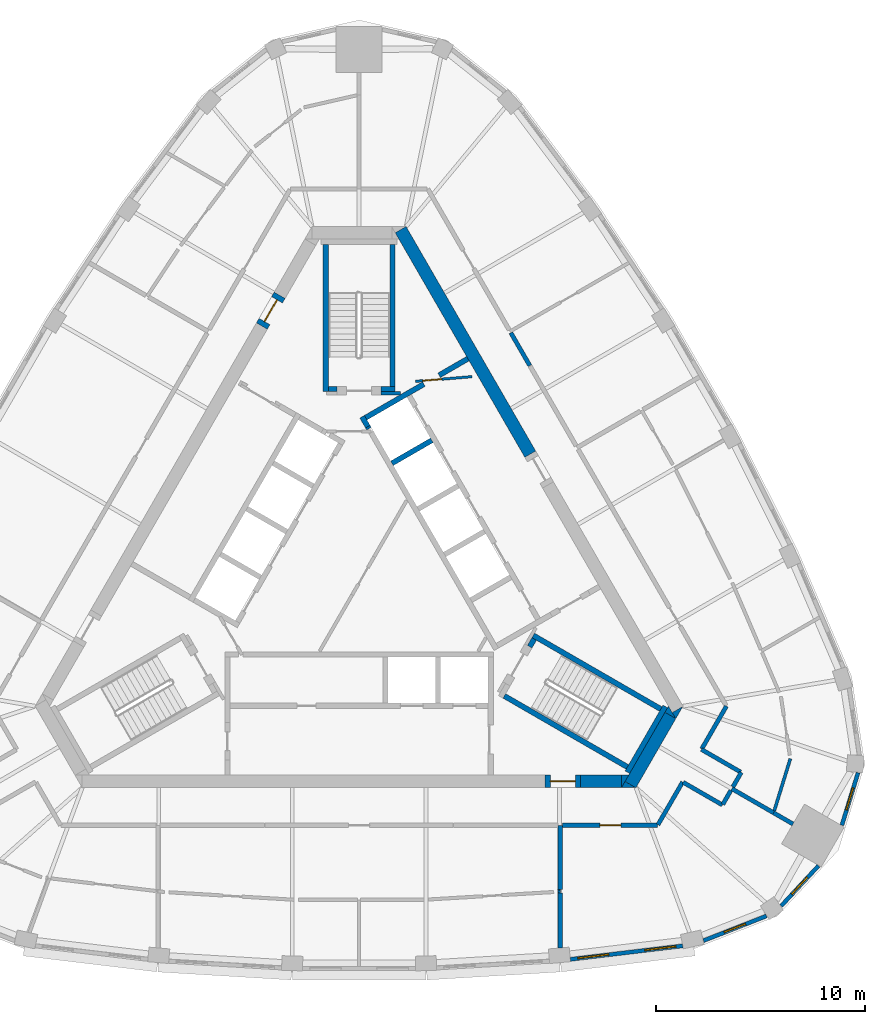
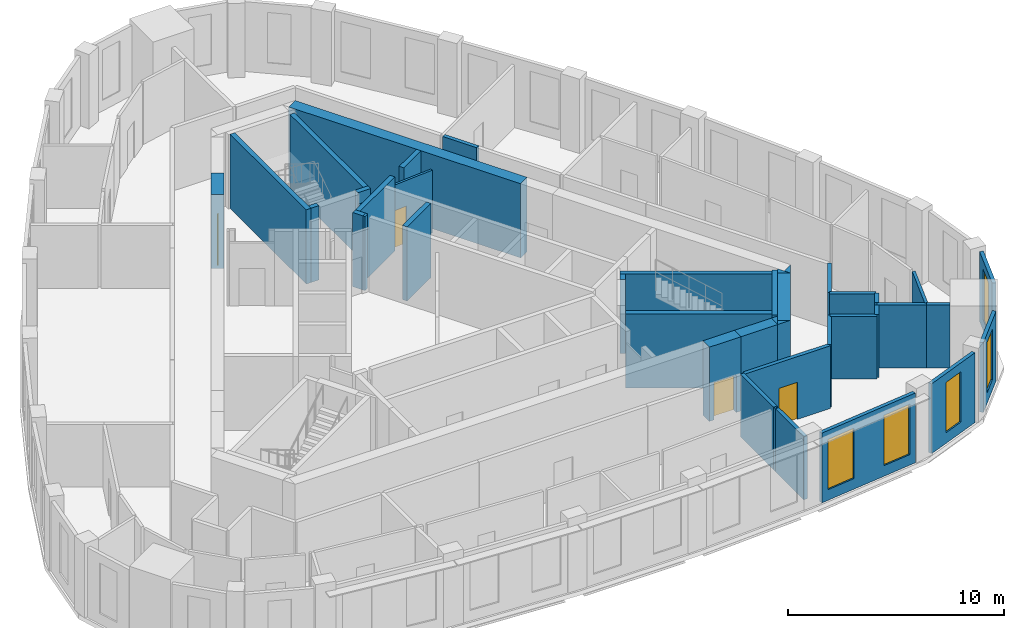
# One storey, part 6 of 10: 42 walls, 5 windows, 4 doors, 9 openings.
"""IFC4 building model written with IfcOpenShell, lengths in metres."""

from ifc_helpers import new_model, si_unit, direction, frame, frame_2d, origin, place, context, subcontext, project, spatial, polyline, rectangle, outline, extrude, material, layer, layer_set, type_object, element, fill, save


model = new_model("IFC4")

# Units and contexts
model_context = context("Model", 3, precision=1e-05, world=origin(), true_north=direction((0.0, 1.0)))
body_context = subcontext(model_context, "Body", "Model", "MODEL_VIEW")
ifc_project = project(units=[si_unit("LENGTHUNIT", "METRE"), si_unit("AREAUNIT", "SQUARE_METRE"), si_unit("VOLUMEUNIT", "CUBIC_METRE"), si_unit("PLANEANGLEUNIT", "RADIAN"), si_unit("MASSUNIT", "GRAM", prefix="KILO")], contexts=[model_context])

# Site, building, storey
site_placement = place(None, origin())
site = spatial("IfcSite", under=ifc_project, at=site_placement, CompositionType="ELEMENT")
building_placement = place(site_placement, origin())
building = spatial("IfcBuilding", under=site, at=building_placement, Name="Mestral Congress Tower", CompositionType="ELEMENT")
storey_placement = place(building_placement, frame((0.0, 0.0, 309.0)))
storey = spatial("IfcBuildingStorey", under=building, at=storey_placement, Name="L72", CompositionType="ELEMENT", Elevation=309.0)

# Wall
ifc_material_1 = material(Name="Fire-rated board partition")
ifc_layer_1 = layer(ifc_material_1, 0.14990234375)
ifc_layer_set_1 = layer_set([ifc_layer_1], Name="Fire-rated board partition")
wall_type_1 = type_object("IfcWallType", Name="Core partition 150", PredefinedType="PARTITIONING", material=ifc_layer_set_1)
wall_1_placement = place(storey_placement, frame((1.050048828125, 8.62548828125, 0.0), z_axis=(0.0, 0.0, 1.0), x_axis=(1.0, 0.0, 0.0)))
element("IfcWall", 1, at=wall_1_placement, inside=storey, type_object=wall_type_1, Name="L72 core wall", PredefinedType="PARTITIONING", context=body_context, shape_type="SweptSolid", body=[
    extrude(rectangle(XDim=0.9287109375, YDim=0.14990234375, at=frame_2d((0.46435546875, 0.0))), origin(), (0.0, 0.0, 1.0), 3.550048828125),
])

# Wall, opening, door
ifc_layer_2 = layer(ifc_material_1, 0.1201171875)
ifc_layer_set_2 = layer_set([ifc_layer_2], Name="Fire-rated board partition")
wall_type_2 = type_object("IfcWallType", Name="Core partition 150 door-wall 120", PredefinedType="PARTITIONING", material=ifc_layer_set_2)
wall_2_placement = place(storey_placement, frame((5.3984375, 9.418701171875, 0.0), z_axis=(0.0, 0.0, 1.0), x_axis=(-0.996653416376, -0.081743303248, 0.0)))
wall_2 = element("IfcWall", 2, at=wall_2_placement, inside=storey, type_object=wall_type_2, Name="L72 door wall", PredefinedType="PARTITIONING", context=body_context, shape_type="SweptSolid", body=[
    extrude(rectangle(XDim=2.699951171875, YDim=0.119873046875, at=frame_2d((1.35009765625, 0.0))), origin(), (0.0, 0.0, 1.0), 3.550048828125),
])
opening_1_placement = place(wall_2_placement, frame((1.449951171875, 0.0, 0.0)))
opening_1 = element("IfcOpeningElement", 3, at=opening_1_placement, cuts=wall_2, Name="Opening TD2", PredefinedType="OPENING", context=body_context, shape_type="SweptSolid", body=[
    extrude(rectangle(XDim=0.89990234375, YDim=2.10009765625, at=frame_2d((0.449951171875, 1.050048828125))), frame((0.0, 0.06982421875, 0.0), z_axis=(0.0, -1.0, 0.0), x_axis=(1.0, 0.0, 0.0)), (0.0, 0.0, 1.0), 0.139892578125),
])
ifc_material_2 = material(Name="Fire-rated steel door set", Category="steel")
door_type_1 = type_object("IfcDoorType", Name="Core door SR 900x2100", OperationType="SINGLE_SWING_LEFT", PredefinedType="DOOR", material=ifc_material_2)
door_1_placement = place(opening_1_placement, origin())
door_1 = element("IfcDoor", 4, at=door_1_placement, inside=storey, type_object=door_type_1, Name="Door TD2", OperationType="SINGLE_SWING_LEFT", OverallHeight=2.10009765625, OverallWidth=0.89990234375, PredefinedType="DOOR", context=body_context, shape_type="SweptSolid", body=[
    extrude(rectangle(XDim=0.89990234375, YDim=2.10009765625, at=frame_2d((0.449951171875, 1.050048828125))), frame((0.0, 0.02490234375, 0.0), z_axis=(0.0, -1.0, 0.0), x_axis=(1.0, 0.0, 0.0)), (0.0, 0.0, 1.0), 0.050048828125),
])
fill(opening_1, door_1)

# Walls
ifc_material_3 = material(Name="Concrete C60/75", Category="concrete")
ifc_layer_3 = layer(ifc_material_3, 0.60009765625)
ifc_layer_set_3 = layer_set([ifc_layer_3], Name="Concrete C60/75")
wall_type_3 = type_object("IfcWallType", Name="Core wall RC 600", PredefinedType="SOLIDWALL", material=ifc_layer_set_3)
placement = place(storey_placement, origin())
element("IfcWall", 5, at=placement, inside=storey, type_object=wall_type_3, Name="L72 core wall", PredefinedType="SOLIDWALL", context=body_context, shape_type="SweptSolid", body=[
    extrude(outline(polyline([(15.155517578125, -6.949951171875), (14.986572265625, -6.6572265625), (15.493408203125, -6.364501953125), (15.155517578125, -6.949951171875)])), origin(), (0.0, 0.0, 1.0), 4.199951171875),
])
wall_4_placement = place(storey_placement, frame((12.9873046875, -10.105712890625, 0.0), z_axis=(0.0, 0.0, 1.0), x_axis=(0.499950938802, 0.866053727428, 0.0)))
element("IfcWall", 6, at=wall_4_placement, inside=storey, type_object=wall_type_3, Name="L72 core wall", PredefinedType="SOLIDWALL", context=body_context, shape_type="SweptSolid", body=[
    extrude(rectangle(XDim=3.8232421875, YDim=0.60009765625, at=frame_2d((1.91162109375, 0.0))), origin(), (0.0, 0.0, 1.0), 4.199951171875),
])
element("IfcWall", 7, at=placement, inside=storey, type_object=wall_type_3, Name="L72 core wall", PredefinedType="SOLIDWALL", context=body_context, shape_type="SweptSolid", body=[
    extrude(outline(polyline([(12.726318359375, -9.957275390625), (13.2333984375, -10.25), (12.557373046875, -10.25), (12.726318359375, -9.957275390625)])), origin(), (0.0, 0.0, 1.0), 4.199951171875),
])
element("IfcWall", 8, at=placement, inside=storey, type_object=wall_type_3, Name="L72 core wall", PredefinedType="SOLIDWALL", context=body_context, shape_type="SweptSolid", body=[
    extrude(outline(polyline([(14.80908203125, -6.35009765625), (15.147216796875, -6.935791015625), (14.639892578125, -6.642822265625), (14.80908203125, -6.35009765625)])), origin(), (0.0, 0.0, 1.0), 4.199951171875),
])
wall_7_placement = place(storey_placement, frame((10.6044921875, -9.949951171875, 0.0), z_axis=(0.0, 0.0, 1.0), x_axis=(1.0, 0.0, 0.0)))
element("IfcWall", 9, at=wall_7_placement, inside=storey, type_object=wall_type_3, Name="L72 core wall", PredefinedType="SOLIDWALL", context=body_context, shape_type="SweptSolid", body=[
    extrude(rectangle(XDim=1.959228515625, YDim=0.60009765625, at=frame_2d((0.9794921875, 0.0))), origin(), (0.0, 0.0, 1.0), 4.199951171875),
])
element("IfcWall", 10, at=placement, inside=storey, type_object=wall_type_3, Name="L72 core wall", PredefinedType="SOLIDWALL", context=body_context, shape_type="SweptSolid", body=[
    extrude(outline(polyline([(12.90380859375, -9.64990234375), (12.56591796875, -10.235595703125), (12.56591796875, -9.64990234375), (12.90380859375, -9.64990234375)])), origin(), (0.0, 0.0, 1.0), 4.199951171875),
])
wall_9_placement = place(storey_placement, frame((1.98876953125, 16.45556640625, 0.0), z_axis=(0.0, 0.0, 1.0), x_axis=(0.49999102663, -0.8660305845, 0.0)))
element("IfcWall", 11, at=wall_9_placement, inside=storey, type_object=wall_type_3, Name="L72 core wall", PredefinedType="SOLIDWALL", context=body_context, shape_type="SweptSolid", body=[
    extrude(rectangle(XDim=12.406494140625, YDim=0.60009765625, at=frame_2d((6.203125, 0.0))), origin(), (0.0, 0.0, 1.0), 4.199951171875),
])

# Wall, opening, door
wall_10_placement = place(storey_placement, frame((10.6044921875, -9.949951171875, 0.0), z_axis=(0.0, 0.0, 1.0), x_axis=(-1.0, 0.0, 0.0)))
wall_10 = element("IfcWall", 12, at=wall_10_placement, inside=storey, type_object=wall_type_3, Name="L72 door wall", PredefinedType="SOLIDWALL", context=body_context, shape_type="SweptSolid", body=[
    extrude(rectangle(XDim=1.699951171875, YDim=0.60009765625, at=frame_2d((0.85009765625, 0.0))), origin(), (0.0, 0.0, 1.0), 4.199951171875),
])
opening_2_placement = place(wall_10_placement, frame((0.25, 0.0, 0.0)))
opening_2 = element("IfcOpeningElement", 13, at=opening_2_placement, cuts=wall_10, Name="Opening XD1", PredefinedType="OPENING", context=body_context, shape_type="SweptSolid", body=[
    extrude(rectangle(XDim=1.199951171875, YDim=2.10009765625, at=frame_2d((0.60009765625, 1.050048828125))), frame((0.0, 0.31005859375, 0.0), z_axis=(0.0, -1.0, 0.0), x_axis=(1.0, 0.0, 0.0)), (0.0, 0.0, 1.0), 0.6201171875),
])
door_type_2 = type_object("IfcDoorType", Name="Core door XD 1200x2100", OperationType="SINGLE_SWING_LEFT", PredefinedType="DOOR", material=ifc_material_2)
door_2_placement = place(opening_2_placement, origin())
door_2 = element("IfcDoor", 14, at=door_2_placement, inside=storey, type_object=door_type_2, Name="Door XD1", OperationType="SINGLE_SWING_LEFT", OverallHeight=2.10009765625, OverallWidth=1.199951171875, PredefinedType="DOOR", context=body_context, shape_type="SweptSolid", body=[
    extrude(rectangle(XDim=1.199951171875, YDim=2.10009765625, at=frame_2d((0.60009765625, 1.050048828125))), frame((0.0, 0.02490234375, 0.0), z_axis=(0.0, -1.0, 0.0), x_axis=(1.0, 0.0, 0.0)), (0.0, 0.0, 1.0), 0.050048828125),
])
fill(opening_2, door_2)

wall_11_placement = place(storey_placement, frame((-4.65234375, 11.842041015625, 0.0), z_axis=(0.0, 0.0, 1.0), x_axis=(0.500062241894, 0.865989465428, 0.0)))
wall_11 = element("IfcWall", 15, at=wall_11_placement, inside=storey, type_object=wall_type_3, Name="L72 door wall", PredefinedType="SOLIDWALL", context=body_context, shape_type="SweptSolid", body=[
    extrude(rectangle(XDim=1.699951171875, YDim=0.60009765625, at=frame_2d((0.85009765625, 0.0))), origin(), (0.0, 0.0, 1.0), 4.199951171875),
])
opening_3_placement = place(wall_11_placement, frame((0.25, 0.0, 0.0)))
opening_3 = element("IfcOpeningElement", 16, at=opening_3_placement, cuts=wall_11, Name="Opening XD2", PredefinedType="OPENING", context=body_context, shape_type="SweptSolid", body=[
    extrude(rectangle(XDim=1.199951171875, YDim=2.10009765625, at=frame_2d((0.60009765625, 1.050048828125))), frame((0.0, 0.31005859375, 0.0), z_axis=(0.0, -1.0, 0.0), x_axis=(1.0, 0.0, 0.0)), (0.0, 0.0, 1.0), 0.6201171875),
])
door_3_placement = place(opening_3_placement, origin())
door_3 = element("IfcDoor", 17, at=door_3_placement, inside=storey, type_object=door_type_2, Name="Door XD2", OperationType="SINGLE_SWING_LEFT", OverallHeight=2.10009765625, OverallWidth=1.199951171875, PredefinedType="DOOR", context=body_context, shape_type="SweptSolid", body=[
    extrude(rectangle(XDim=1.199951171875, YDim=2.10009765625, at=frame_2d((0.60009765625, 1.050048828125))), frame((0.0, 0.02490234375, 0.0), z_axis=(0.0, -1.0, 0.0), x_axis=(1.0, 0.0, 0.0)), (0.0, 0.0, 1.0), 0.050048828125),
])
fill(opening_3, door_3)

# Wall, openings, windows
ifc_material_4 = material(Name="Precast concrete C40/50 with limestone facing", Category="masonry")
ifc_layer_4 = layer(ifc_material_4, 0.18994140625)
ifc_layer_set_4 = layer_set([ifc_layer_4], Name="Precast concrete C40/50 with limestone facing")
wall_type_4 = type_object("IfcWallType", Name="Facade stone wall 190", PredefinedType="SOLIDWALL", material=ifc_layer_set_4)
wall_12_placement = place(storey_placement, frame((10.110595703125, -18.4677734375, 0.0), z_axis=(0.0, 0.0, 1.0), x_axis=(0.992885582795, 0.119072328769, 0.0)))
wall_12 = element("IfcWall", 18, at=wall_12_placement, inside=storey, type_object=wall_type_4, Name="Facade wall F0-04", PredefinedType="SOLIDWALL", context=body_context, shape_type="SweptSolid", body=[
    extrude(rectangle(XDim=5.4150390625, YDim=0.18994140625, at=frame_2d((2.70751953125, 0.0))), origin(), (0.0, 0.0, 1.0), 3.949951171875),
])
opening_4_placement = place(wall_12_placement, frame((0.357421875, 0.0, 0.60009765625)))
opening_4 = element("IfcOpeningElement", 19, at=opening_4_placement, cuts=wall_12, Name="Opening W6", PredefinedType="OPENING", context=body_context, shape_type="SweptSolid", body=[
    extrude(rectangle(XDim=1.5, YDim=2.85009765625, at=frame_2d((0.75, 1.425048828125))), frame((0.0, 0.10498046875, 0.0), z_axis=(0.0, -1.0, 0.0), x_axis=(1.0, 0.0, 0.0)), (0.0, 0.0, 1.0), 0.2099609375),
])
opening_5_placement = place(wall_12_placement, frame((3.592529296875, 0.0, 0.60009765625)))
opening_5 = element("IfcOpeningElement", 20, at=opening_5_placement, cuts=wall_12, Name="Opening W6", PredefinedType="OPENING", context=body_context, shape_type="SweptSolid", body=[
    extrude(rectangle(XDim=1.5, YDim=2.85009765625, at=frame_2d((0.75, 1.425048828125))), frame((0.0, 0.10498046875, 0.0), z_axis=(0.0, -1.0, 0.0), x_axis=(1.0, 0.0, 0.0)), (0.0, 0.0, 1.0), 0.2099609375),
])
ifc_material_5 = material(Name="Clear low-emissivity double glazing", Category="glass")
window_type_1 = type_object("IfcWindowType", Name="Facade punched window 1500 x 2850 sill 600", PartitioningType="SINGLE_PANEL", PredefinedType="WINDOW", material=ifc_material_5)
window_1_placement = place(opening_4_placement, origin())
window_1 = element("IfcWindow", 21, at=window_1_placement, inside=storey, type_object=window_type_1, Name="Window F0-04a", OverallHeight=2.85009765625, OverallWidth=1.5, PartitioningType="SINGLE_PANEL", PredefinedType="WINDOW", context=body_context, shape_type="SweptSolid", body=[
    extrude(rectangle(XDim=1.5, YDim=2.85009765625, at=frame_2d((0.75, 1.425048828125))), frame((0.0, 0.044921875, 0.0), z_axis=(0.0, -1.0, 0.0), x_axis=(1.0, 0.0, 0.0)), (0.0, 0.0, 1.0), 0.06005859375),
])
fill(opening_4, window_1)
window_2_placement = place(opening_5_placement, origin())
window_2 = element("IfcWindow", 22, at=window_2_placement, inside=storey, type_object=window_type_1, Name="Window F0-04b", OverallHeight=2.85009765625, OverallWidth=1.5, PartitioningType="SINGLE_PANEL", PredefinedType="WINDOW", context=body_context, shape_type="SweptSolid", body=[
    extrude(rectangle(XDim=1.5, YDim=2.85009765625, at=frame_2d((0.75, 1.425048828125))), frame((0.0, 0.044921875, 0.0), z_axis=(0.0, -1.0, 0.0), x_axis=(1.0, 0.0, 0.0)), (0.0, 0.0, 1.0), 0.06005859375),
])
fill(opening_5, window_2)

# Wall, opening, window
wall_13_placement = place(storey_placement, frame((16.48291015625, -17.572998046875, 0.0), z_axis=(0.0, 0.0, 1.0), x_axis=(0.93100888477, 0.364996515709, 0.0)))
wall_13 = element("IfcWall", 23, at=wall_13_placement, inside=storey, type_object=wall_type_4, Name="Facade wall K0-0", PredefinedType="SOLIDWALL", context=body_context, shape_type="SweptSolid", body=[
    extrude(rectangle(XDim=3.23681640625, YDim=0.18994140625, at=frame_2d((1.618408203125, 0.0))), origin(), (0.0, 0.0, 1.0), 3.949951171875),
])
opening_6_placement = place(wall_13_placement, frame((1.068359375, 0.0, 0.60009765625)))
opening_6 = element("IfcOpeningElement", 24, at=opening_6_placement, cuts=wall_13, Name="Opening W7", PredefinedType="OPENING", context=body_context, shape_type="SweptSolid", body=[
    extrude(rectangle(XDim=1.10009765625, YDim=2.85009765625, at=frame_2d((0.550048828125, 1.425048828125))), frame((0.0, 0.10498046875, 0.0), z_axis=(0.0, -1.0, 0.0), x_axis=(1.0, 0.0, 0.0)), (0.0, 0.0, 1.0), 0.2099609375),
])
window_type_2 = type_object("IfcWindowType", Name="Facade punched window 1100 x 2850 sill 600", PartitioningType="SINGLE_PANEL", PredefinedType="WINDOW", material=ifc_material_5)
window_3_placement = place(opening_6_placement, origin())
window_3 = element("IfcWindow", 25, at=window_3_placement, inside=storey, type_object=window_type_2, Name="Window K0-0", OverallHeight=2.85009765625, OverallWidth=1.10009765625, PartitioningType="SINGLE_PANEL", PredefinedType="WINDOW", context=body_context, shape_type="SweptSolid", body=[
    extrude(rectangle(XDim=1.10009765625, YDim=2.85009765625, at=frame_2d((0.550048828125, 1.425048828125))), frame((0.0, 0.044921875, 0.0), z_axis=(0.0, -1.0, 0.0), x_axis=(1.0, 0.0, 0.0)), (0.0, 0.0, 1.0), 0.06005859375),
])
fill(opening_6, window_3)

wall_14_placement = place(storey_placement, frame((20.197998046875, -15.91357421875, 0.0), z_axis=(0.0, 0.0, 1.0), x_axis=(0.680219354823, 0.733008614768, 0.0)))
wall_14 = element("IfcWall", 26, at=wall_14_placement, inside=storey, type_object=wall_type_4, Name="Facade wall K0-1", PredefinedType="SOLIDWALL", context=body_context, shape_type="SweptSolid", body=[
    extrude(rectangle(XDim=2.626953125, YDim=0.18994140625, at=frame_2d((1.3134765625, 0.0))), origin(), (0.0, 0.0, 1.0), 3.949951171875),
])
opening_7_placement = place(wall_14_placement, frame((0.763427734375, 0.0, 0.60009765625)))
opening_7 = element("IfcOpeningElement", 27, at=opening_7_placement, cuts=wall_14, Name="Opening W7", PredefinedType="OPENING", context=body_context, shape_type="SweptSolid", body=[
    extrude(rectangle(XDim=1.10009765625, YDim=2.85009765625, at=frame_2d((0.550048828125, 1.425048828125))), frame((0.0, 0.10498046875, 0.0), z_axis=(0.0, -1.0, 0.0), x_axis=(1.0, 0.0, 0.0)), (0.0, 0.0, 1.0), 0.2099609375),
])
window_4_placement = place(opening_7_placement, origin())
window_4 = element("IfcWindow", 28, at=window_4_placement, inside=storey, type_object=window_type_2, Name="Window K0-1", OverallHeight=2.85009765625, OverallWidth=1.10009765625, PartitioningType="SINGLE_PANEL", PredefinedType="WINDOW", context=body_context, shape_type="SweptSolid", body=[
    extrude(rectangle(XDim=1.10009765625, YDim=2.85009765625, at=frame_2d((0.550048828125, 1.425048828125))), frame((0.0, 0.044921875, 0.0), z_axis=(0.0, -1.0, 0.0), x_axis=(1.0, 0.0, 0.0)), (0.0, 0.0, 1.0), 0.06005859375),
])
fill(opening_7, window_4)

wall_15_placement = place(storey_placement, frame((23.1064453125, -12.04541015625, 0.0), z_axis=(0.0, 0.0, 1.0), x_axis=(0.294706210429, 0.9555879078, 0.0)))
wall_15 = element("IfcWall", 29, at=wall_15_placement, inside=storey, type_object=wall_type_4, Name="Facade wall K0-2", PredefinedType="SOLIDWALL", context=body_context, shape_type="SweptSolid", body=[
    extrude(rectangle(XDim=2.626953125, YDim=0.18994140625, at=frame_2d((1.3134765625, 0.0))), origin(), (0.0, 0.0, 1.0), 3.949951171875),
])
opening_8_placement = place(wall_15_placement, frame((0.763427734375, 0.0, 0.60009765625)))
opening_8 = element("IfcOpeningElement", 30, at=opening_8_placement, cuts=wall_15, Name="Opening W7", PredefinedType="OPENING", context=body_context, shape_type="SweptSolid", body=[
    extrude(rectangle(XDim=1.10009765625, YDim=2.85009765625, at=frame_2d((0.550048828125, 1.425048828125))), frame((0.0, 0.10498046875, 0.0), z_axis=(0.0, -1.0, 0.0), x_axis=(1.0, 0.0, 0.0)), (0.0, 0.0, 1.0), 0.2099609375),
])
window_5_placement = place(opening_8_placement, origin())
window_5 = element("IfcWindow", 31, at=window_5_placement, inside=storey, type_object=window_type_2, Name="Window K0-2", OverallHeight=2.85009765625, OverallWidth=1.10009765625, PartitioningType="SINGLE_PANEL", PredefinedType="WINDOW", context=body_context, shape_type="SweptSolid", body=[
    extrude(rectangle(XDim=1.10009765625, YDim=2.85009765625, at=frame_2d((0.550048828125, 1.425048828125))), frame((0.0, 0.044921875, 0.0), z_axis=(0.0, -1.0, 0.0), x_axis=(1.0, 0.0, 0.0)), (0.0, 0.0, 1.0), 0.06005859375),
])
fill(opening_8, window_5)

# Walls
ifc_material_6 = material(Name="Plasterboard partition on steel studs", Category="steel")
ifc_layer_5 = layer(ifc_material_6, 0.14990234375)
ifc_layer_set_5 = layer_set([ifc_layer_5], Name="Plasterboard partition on steel studs")
wall_type_5 = type_object("IfcWallType", Name="Office partition 150", PredefinedType="PARTITIONING", material=ifc_layer_set_5)
wall_16_placement = place(storey_placement, frame((9.528076171875, -15.218994140625, 0.0), z_axis=(0.0, 0.0, 1.0), x_axis=(0.992830592569, 0.119529973061, 0.0)))
element("IfcWall", 32, at=wall_16_placement, inside=storey, type_object=wall_type_5, Name="Partition", PredefinedType="PARTITIONING", context=body_context, shape_type="SweptSolid", body=[
    extrude(rectangle(XDim=0.10009765625, YDim=0.14990234375, at=frame_2d((0.050048828125, 0.0))), origin(), (0.0, 0.0, 1.0), 3.550048828125),
])
wall_17_placement = place(storey_placement, frame((19.87060546875, -11.35693359375, 0.0), z_axis=(0.0, 0.0, 1.0), x_axis=(0.294698154857, 0.955590392126, 0.0)))
element("IfcWall", 33, at=wall_17_placement, inside=storey, type_object=wall_type_5, Name="Partition", PredefinedType="PARTITIONING", context=body_context, shape_type="SweptSolid", body=[
    extrude(rectangle(XDim=2.60546875, YDim=0.14990234375, at=frame_2d((1.302734375, 0.0))), origin(), (0.0, 0.0, 1.0), 3.550048828125),
])
ifc_material_7 = material(Name="Dense masonry wall, plastered", Category="masonry")
ifc_layer_6 = layer(ifc_material_7, 0.199951171875)
ifc_layer_set_6 = layer_set([ifc_layer_6], Name="Dense masonry wall, plastered")
wall_type_6 = type_object("IfcWallType", Name="Office tenancy wall 200", PredefinedType="PARTITIONING", material=ifc_layer_set_6)
wall_18_placement = place(storey_placement, frame((9.62744140625, -15.28271484375, 0.0), z_axis=(0.0, 0.0, 1.0), x_axis=(0.0, -1.0, 0.0)))
element("IfcWall", 34, at=wall_18_placement, inside=storey, type_object=wall_type_6, Name="Tenancy wall", PredefinedType="PARTITIONING", context=body_context, shape_type="SweptSolid", body=[
    extrude(rectangle(XDim=2.635986328125, YDim=0.199951171875, at=frame_2d((1.31787109375, 0.0))), origin(), (0.0, 0.0, 1.0), 3.550048828125),
])
wall_19_placement = place(storey_placement, frame((9.62744140625, -12.050048828125, 0.0), z_axis=(0.0, 0.0, 1.0), x_axis=(0.0, -1.0, 0.0)))
element("IfcWall", 35, at=wall_19_placement, inside=storey, type_object=wall_type_6, Name="Tenancy wall", PredefinedType="PARTITIONING", context=body_context, shape_type="SweptSolid", body=[
    extrude(rectangle(XDim=3.08154296875, YDim=0.199951171875, at=frame_2d((1.540771484375, 0.0))), origin(), (0.0, 0.0, 1.0), 3.550048828125),
])
wall_20_placement = place(storey_placement, frame((19.8369140625, -11.452880859375, 0.0), z_axis=(0.0, 0.0, 1.0), x_axis=(0.866049104564, -0.499958946799, 0.0)))
element("IfcWall", 36, at=wall_20_placement, inside=storey, type_object=wall_type_6, Name="Tenancy wall", PredefinedType="PARTITIONING", context=body_context, shape_type="SweptSolid", body=[
    extrude(rectangle(XDim=1.072265625, YDim=0.199951171875, at=frame_2d((0.5361328125, 0.0))), origin(), (0.0, 0.0, 1.0), 3.550048828125),
])
wall_21_placement = place(storey_placement, frame((17.840087890625, -10.300048828125, 0.0), z_axis=(0.0, 0.0, 1.0), x_axis=(0.866066110499, -0.499929487274, 0.0)))
element("IfcWall", 37, at=wall_21_placement, inside=storey, type_object=wall_type_6, Name="Tenancy wall", PredefinedType="PARTITIONING", context=body_context, shape_type="SweptSolid", body=[
    extrude(rectangle(XDim=2.313720703125, YDim=0.199951171875, at=frame_2d((1.15673828125, 0.0))), origin(), (0.0, 0.0, 1.0), 3.550048828125),
])

# Wall, opening, door
wall_22_placement = place(storey_placement, frame((9.727294921875, -12.050048828125, 0.0), z_axis=(0.0, 0.0, 1.0), x_axis=(1.0, 0.0, 0.0)))
wall_22 = element("IfcWall", 38, at=wall_22_placement, inside=storey, type_object=wall_type_6, Name="Tenancy wall", PredefinedType="PARTITIONING", context=body_context, shape_type="SweptSolid", body=[
    extrude(rectangle(XDim=4.56201171875, YDim=0.199951171875, at=frame_2d((2.281005859375, 0.0))), origin(), (0.0, 0.0, 1.0), 3.550048828125),
])
opening_9_placement = place(wall_22_placement, frame((1.800048828125, 0.0, 0.0)))
opening_9 = element("IfcOpeningElement", 39, at=opening_9_placement, cuts=wall_22, Name="Opening O14-004", PredefinedType="OPENING", context=body_context, shape_type="SweptSolid", body=[
    extrude(rectangle(XDim=1.0, YDim=2.10009765625, at=frame_2d((0.5, 1.050048828125))), frame((0.0, 0.10986328125, 0.0), z_axis=(0.0, -1.0, 0.0), x_axis=(1.0, 0.0, 0.0)), (0.0, 0.0, 1.0), 0.219970703125),
])
ifc_material_8 = material(Name="Fire-rated timber door set", Category="wood")
door_type_3 = type_object("IfcDoorType", Name="Office tenancy entrance door 1000x2100", OperationType="SINGLE_SWING_LEFT", PredefinedType="DOOR", material=ifc_material_8)
door_4_placement = place(opening_9_placement, origin())
door_4 = element("IfcDoor", 40, at=door_4_placement, inside=storey, type_object=door_type_3, Name="Door O14-004", OperationType="SINGLE_SWING_RIGHT", OverallHeight=2.10009765625, OverallWidth=1.0, PredefinedType="DOOR", context=body_context, shape_type="SweptSolid", body=[
    extrude(rectangle(XDim=1.0, YDim=2.10009765625, at=frame_2d((0.5, 1.050048828125))), frame((0.0, 0.02490234375, 0.0), z_axis=(0.0, -1.0, 0.0), x_axis=(1.0, 0.0, 0.0)), (0.0, 0.0, 1.0), 0.050048828125),
])
fill(opening_9, door_4)

# Walls
wall_23_placement = place(storey_placement, frame((14.304443359375, -12.02392578125, 0.0), z_axis=(0.0, 0.0, 1.0), x_axis=(0.500020852261, 0.866013364391, 0.0)))
element("IfcWall", 41, at=wall_23_placement, inside=storey, type_object=wall_type_6, Name="Tenancy wall", PredefinedType="PARTITIONING", context=body_context, shape_type="SweptSolid", body=[
    extrude(rectangle(XDim=2.36083984375, YDim=0.199951171875, at=frame_2d((1.180419921875, 0.0))), origin(), (0.0, 0.0, 1.0), 3.550048828125),
])
wall_24_placement = place(storey_placement, frame((15.5107421875, -9.994384765625, 0.0), z_axis=(0.0, 0.0, 1.0), x_axis=(0.866046953215, -0.499962673433, 0.0)))
element("IfcWall", 42, at=wall_24_placement, inside=storey, type_object=wall_type_6, Name="Tenancy wall", PredefinedType="PARTITIONING", context=body_context, shape_type="SweptSolid", body=[
    extrude(rectangle(XDim=2.170166015625, YDim=0.199951171875, at=frame_2d((1.0849609375, 0.0))), origin(), (0.0, 0.0, 1.0), 3.550048828125),
])
wall_25_placement = place(storey_placement, frame((17.405029296875, -11.053466796875, 0.0), z_axis=(0.0, 0.0, 1.0), x_axis=(0.500060979923, 0.865990194147, 0.0)))
element("IfcWall", 43, at=wall_25_placement, inside=storey, type_object=wall_type_6, Name="Tenancy wall", PredefinedType="PARTITIONING", context=body_context, shape_type="SweptSolid", body=[
    extrude(rectangle(XDim=0.77001953125, YDim=0.199951171875, at=frame_2d((0.385009765625, 0.0))), origin(), (0.0, 0.0, 1.0), 3.550048828125),
])
wall_26_placement = place(storey_placement, frame((17.89013671875, -10.21337890625, 0.0), z_axis=(0.0, 0.0, 1.0), x_axis=(0.499880961361, 0.866094119867, 0.0)))
element("IfcWall", 44, at=wall_26_placement, inside=storey, type_object=wall_type_6, Name="Tenancy wall", PredefinedType="PARTITIONING", context=body_context, shape_type="SweptSolid", body=[
    extrude(rectangle(XDim=0.800048828125, YDim=0.199951171875, at=frame_2d((0.39990234375, 0.0))), origin(), (0.0, 0.0, 1.0), 3.550048828125),
])
wall_27_placement = place(storey_placement, frame((18.26416015625, -9.505615234375, 0.0), z_axis=(0.0, 0.0, 1.0), x_axis=(-0.866018827591, 0.500011390128, 0.0)))
element("IfcWall", 45, at=wall_27_placement, inside=storey, type_object=wall_type_6, Name="Tenancy wall", PredefinedType="PARTITIONING", context=body_context, shape_type="SweptSolid", body=[
    extrude(rectangle(XDim=2.169921875, YDim=0.199951171875, at=frame_2d((1.0849609375, 0.0))), origin(), (0.0, 0.0, 1.0), 3.550048828125),
])
wall_28_placement = place(storey_placement, frame((16.39990234375, -8.39453125, 0.0), z_axis=(0.0, 0.0, 1.0), x_axis=(0.500020852261, 0.866013364391, 0.0)))
element("IfcWall", 46, at=wall_28_placement, inside=storey, type_object=wall_type_6, Name="Tenancy wall", PredefinedType="PARTITIONING", context=body_context, shape_type="SweptSolid", body=[
    extrude(rectangle(XDim=2.36083984375, YDim=0.199951171875, at=frame_2d((1.180419921875, 0.0))), origin(), (0.0, 0.0, 1.0), 3.550048828125),
])
wall_29_placement = place(storey_placement, frame((8.170654296875, 9.947998046875, 0.0), z_axis=(0.0, 0.0, 1.0), x_axis=(-0.500044545065, 0.865999684151, 0.0)))
element("IfcWall", 47, at=wall_29_placement, inside=storey, type_object=wall_type_6, Name="Tenancy wall", PredefinedType="PARTITIONING", context=body_context, shape_type="SweptSolid", body=[
    extrude(rectangle(XDim=1.815185546875, YDim=0.199951171875, at=frame_2d((0.90771484375, 0.0))), origin(), (0.0, 0.0, 1.0), 3.550048828125),
])
ifc_layer_7 = layer(ifc_material_3, 0.25)
ifc_layer_set_7 = layer_set([ifc_layer_7], Name="Concrete C60/75")
wall_type_7 = type_object("IfcWallType", Name="Shaft wall RC 250", PredefinedType="SOLIDWALL", material=ifc_layer_set_7)
wall_30_placement = place(storey_placement, frame((0.473388671875, 6.93017578125, 0.0), z_axis=(0.0, 0.0, 1.0), x_axis=(-0.49972245349, 0.866185586049, 0.0)))
element("IfcWall", 48, at=wall_30_placement, inside=storey, type_object=wall_type_7, Name="L72 core wall", PredefinedType="SOLIDWALL", context=body_context, shape_type="SweptSolid", body=[
    extrude(rectangle(XDim=0.10986328125, YDim=0.25, at=frame_2d((0.054931640625, 0.0))), origin(), (0.0, 0.0, 1.0), 4.199951171875),
])
wall_31_placement = place(storey_placement, frame((0.41748046875, 7.027099609375, 0.0), z_axis=(0.0, 0.0, 1.0), x_axis=(-0.500210807569, 0.865903659763, 0.0)))
element("IfcWall", 49, at=wall_31_placement, inside=storey, type_object=wall_type_7, Name="L72 core wall", PredefinedType="SOLIDWALL", context=body_context, shape_type="SweptSolid", body=[
    extrude(rectangle(XDim=0.548095703125, YDim=0.25, at=frame_2d((0.27392578125, 0.0))), origin(), (0.0, 0.0, 1.0), 4.199951171875),
])
wall_32_placement = place(storey_placement, frame((3.10009765625, 9.064453125, 0.0), z_axis=(0.0, 0.0, 1.0), x_axis=(-0.866030133475, -0.499991807846, 0.0)))
element("IfcWall", 50, at=wall_32_placement, inside=storey, type_object=wall_type_7, Name="L72 core wall", PredefinedType="SOLIDWALL", context=body_context, shape_type="SweptSolid", body=[
    extrude(rectangle(XDim=3.216796875, YDim=0.25, at=frame_2d((1.6083984375, 0.0))), origin(), (0.0, 0.0, 1.0), 4.199951171875),
])
wall_33_placement = place(storey_placement, frame((1.57421875, 5.273681640625, 0.0), z_axis=(0.0, 0.0, 1.0), x_axis=(0.866028486751, 0.499994660107, 0.0)))
element("IfcWall", 51, at=wall_33_placement, inside=storey, type_object=wall_type_7, Name="L72 core wall", PredefinedType="SOLIDWALL", context=body_context, shape_type="SweptSolid", body=[
    extrude(rectangle(XDim=2.19970703125, YDim=0.25, at=frame_2d((1.099853515625, 0.0))), origin(), (0.0, 0.0, 1.0), 4.199951171875),
])
wall_34_placement = place(storey_placement, frame((3.82958984375, 9.485595703125, 0.0), z_axis=(0.0, 0.0, 1.0), x_axis=(0.865986202621, 0.500067892261, 0.0)))
element("IfcWall", 52, at=wall_34_placement, inside=storey, type_object=wall_type_7, Name="L72 core wall", PredefinedType="SOLIDWALL", context=body_context, shape_type="SweptSolid", body=[
    extrude(rectangle(XDim=1.590576171875, YDim=0.25, at=frame_2d((0.79541015625, 0.0))), origin(), (0.0, 0.0, 1.0), 4.199951171875),
])
ifc_layer_8 = layer(ifc_material_3, 0.25)
ifc_layer_set_8 = layer_set([ifc_layer_8], Name="Concrete C60/75")
wall_type_8 = type_object("IfcWallType", Name="Stair wall RC 250", PredefinedType="SOLIDWALL", material=ifc_layer_set_8)
wall_35_placement = place(storey_placement, frame((12.839599609375, -9.510986328125, 0.0), z_axis=(0.0, 0.0, 1.0), x_axis=(0.500048121057, 0.865997619297, 0.0)))
element("IfcWall", 53, at=wall_35_placement, inside=storey, type_object=wall_type_8, Name="L72 core wall", PredefinedType="SOLIDWALL", context=body_context, shape_type="SweptSolid", body=[
    extrude(rectangle(XDim=3.634033203125, YDim=0.25, at=frame_2d((1.81689453125, 0.0))), origin(), (0.0, 0.0, 1.0), 4.199951171875),
])
wall_36_placement = place(storey_placement, frame((12.83984375, -9.2607421875, 0.0), z_axis=(0.0, 0.0, 1.0), x_axis=(-0.866013990052, 0.500019768644, 0.0)))
element("IfcWall", 54, at=wall_36_placement, inside=storey, type_object=wall_type_8, Name="L72 core wall", PredefinedType="SOLIDWALL", context=body_context, shape_type="SweptSolid", body=[
    extrude(rectangle(XDim=6.800048828125, YDim=0.25, at=frame_2d((3.39990234375, 0.0))), origin(), (0.0, 0.0, 1.0), 4.199951171875),
])
wall_37_placement = place(storey_placement, frame((8.33447265625, -2.96435546875, 0.0), z_axis=(0.0, 0.0, 1.0), x_axis=(0.866016039709, -0.500016218704, 0.0)))
element("IfcWall", 55, at=wall_37_placement, inside=storey, type_object=wall_type_8, Name="L72 core wall", PredefinedType="SOLIDWALL", context=body_context, shape_type="SweptSolid", body=[
    extrude(rectangle(XDim=7.050048828125, YDim=0.25, at=frame_2d((3.52490234375, 0.0))), origin(), (0.0, 0.0, 1.0), 4.199951171875),
])
wall_38_placement = place(storey_placement, frame((8.167724609375, -3.503173828125, 0.0), z_axis=(0.0, 0.0, 1.0), x_axis=(0.49972245349, 0.866185586049, 0.0)))
element("IfcWall", 56, at=wall_38_placement, inside=storey, type_object=wall_type_8, Name="L72 core wall", PredefinedType="SOLIDWALL", context=body_context, shape_type="SweptSolid", body=[
    extrude(rectangle(XDim=0.425048828125, YDim=0.25, at=frame_2d((0.21240234375, 0.0))), origin(), (0.0, 0.0, 1.0), 4.199951171875),
])
wall_39_placement = place(storey_placement, frame((1.60009765625, 8.949951171875, 0.0), z_axis=(0.0, 0.0, 1.0), x_axis=(0.0, 1.0, 0.0)))
element("IfcWall", 57, at=wall_39_placement, inside=storey, type_object=wall_type_8, Name="L72 core wall", PredefinedType="SOLIDWALL", context=body_context, shape_type="SweptSolid", body=[
    extrude(rectangle(XDim=6.800048828125, YDim=0.25, at=frame_2d((3.39990234375, 0.0))), origin(), (0.0, 0.0, 1.0), 4.199951171875),
])
wall_40_placement = place(storey_placement, frame((1.050048828125, 8.824951171875, 0.0), z_axis=(0.0, 0.0, 1.0), x_axis=(1.0, 0.0, 0.0)))
element("IfcWall", 58, at=wall_40_placement, inside=storey, type_object=wall_type_8, Name="L72 core wall", PredefinedType="SOLIDWALL", context=body_context, shape_type="SweptSolid", body=[
    extrude(rectangle(XDim=0.675048828125, YDim=0.25, at=frame_2d((0.33740234375, 0.0))), origin(), (0.0, 0.0, 1.0), 4.199951171875),
])
wall_41_placement = place(storey_placement, frame((-1.60009765625, 8.699951171875, 0.0), z_axis=(0.0, 0.0, 1.0), x_axis=(0.0, 1.0, 0.0)))
element("IfcWall", 59, at=wall_41_placement, inside=storey, type_object=wall_type_8, Name="L72 core wall", PredefinedType="SOLIDWALL", context=body_context, shape_type="SweptSolid", body=[
    extrude(rectangle(XDim=7.050048828125, YDim=0.25, at=frame_2d((3.52490234375, 0.0))), origin(), (0.0, 0.0, 1.0), 4.199951171875),
])
wall_42_placement = place(storey_placement, frame((-1.47509765625, 8.824951171875, 0.0), z_axis=(0.0, 0.0, 1.0), x_axis=(1.0, 0.0, 0.0)))
element("IfcWall", 60, at=wall_42_placement, inside=storey, type_object=wall_type_8, Name="L72 core wall", PredefinedType="SOLIDWALL", context=body_context, shape_type="SweptSolid", body=[
    extrude(rectangle(XDim=0.425048828125, YDim=0.25, at=frame_2d((0.21240234375, 0.0))), origin(), (0.0, 0.0, 1.0), 4.199951171875),
])

save(model, "model.ifc")
